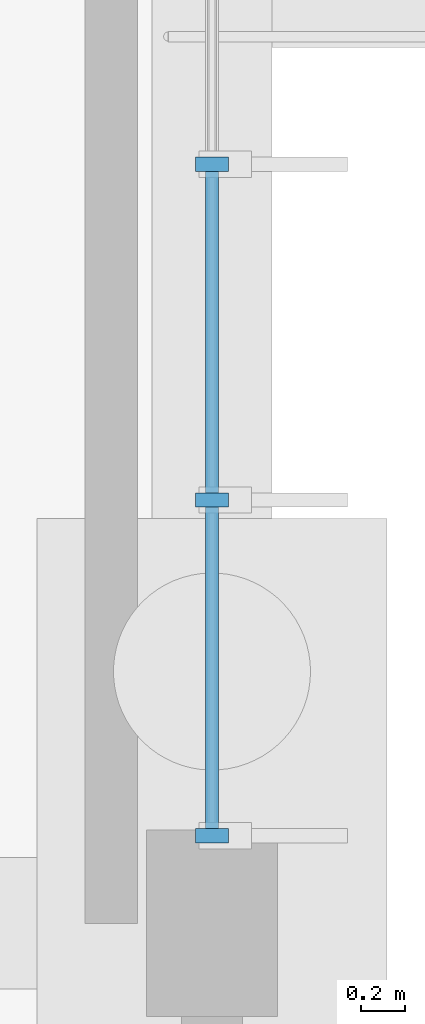
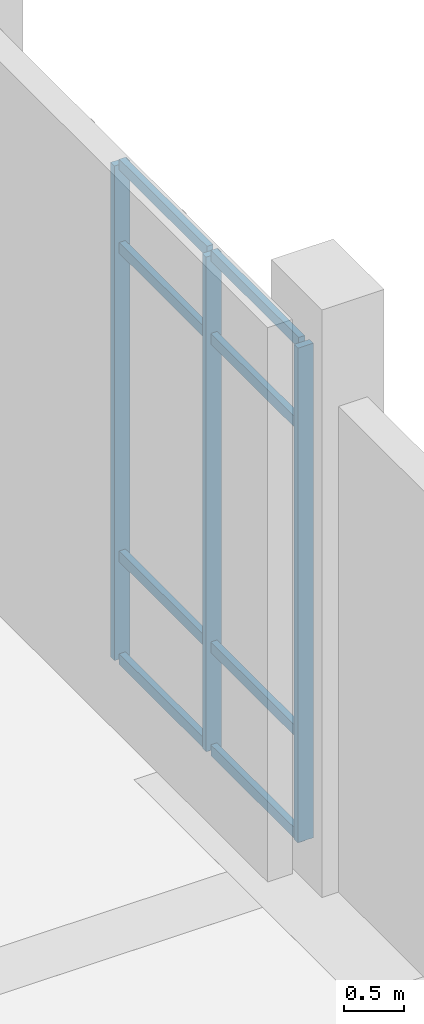
# One storey, part 45 of 140: 11 members, 1 element without a shape of its own.
"""IFC4 building model written with IfcOpenShell, lengths in metres."""

from ifc_helpers import new_model, si_unit, direction, frame, origin, origin_2d, place, context, subcontext, project, spatial, rectangle, extrude, material, layer, layer_set, material_profile, profile_set, type_object, element, aggregate, save


model = new_model("IFC4")

# Units and contexts
model_context = context("Model", 3, precision=1e-05, world=origin(), true_north=direction((0.0, 1.0)))
body_context = subcontext(model_context, "Body", "Model", "MODEL_VIEW")
ifc_project = project(units=[si_unit("LENGTHUNIT", "METRE"), si_unit("AREAUNIT", "SQUARE_METRE"), si_unit("VOLUMEUNIT", "CUBIC_METRE"), si_unit("PLANEANGLEUNIT", "RADIAN"), si_unit("MASSUNIT", "GRAM", prefix="KILO")], contexts=[model_context])

# Site, building, storey
site_placement = place(None, origin())
site = spatial("IfcSite", under=ifc_project, at=site_placement, CompositionType="ELEMENT")
building_placement = place(site_placement, origin())
building = spatial("IfcBuilding", under=site, at=building_placement, Name="Corvandel Quay Wholesale Market", CompositionType="ELEMENT")
storey_placement = place(building_placement, origin())
storey = spatial("IfcBuildingStorey", under=building, at=storey_placement, Name="L00", CompositionType="ELEMENT", Elevation=0.0)

# Curtain wall, members
ifc_material_1 = material(Name="Bronze anodised aluminium and low-E insulated glazing", Category="aluminium")
ifc_layer = layer(ifc_material_1, 0.18603515625)
ifc_layer_set = layer_set([ifc_layer], Name="Bronze anodised aluminium and low-E insulated glazing")
curtain_wall_type = type_object("IfcCurtainWallType", Name="Stick Curtain Wall System CW18 H4620", PredefinedType="NOTDEFINED", material=ifc_layer_set)
curtain_wall_placement = place(storey_placement, origin())
curtain_wall = element("IfcCurtainWall", 1, at=curtain_wall_placement, inside=storey, type_object=curtain_wall_type, Name="Curtain Wall CW-0144", PredefinedType="NOTDEFINED")
ifc_material_2 = material(Name="Anodised aluminium 6063-T6", Category="aluminium")
ifc_material_profile_1 = material_profile(ifc_material_2, rectangle(XDim=0.06494140625, YDim=0.14990234375, at=origin_2d()), Name="ALU-MUL-65x150")
ifc_profile_set_1 = profile_set([ifc_material_profile_1], Name="Anodised aluminium 6063-T6")
member_type_1 = type_object("IfcMemberType", Name="Curtain Wall Mullion ML02 65x150", PredefinedType="MULLION", material=ifc_profile_set_1)
member_1_placement = place(storey_placement, frame((248.0, 60.39990234375, 0.0), z_axis=(0.0, 0.0, 1.0), x_axis=(0.0, 1.0, 0.0)))
member_1 = element("IfcMember", 2, at=member_1_placement, type_object=member_type_1, Name="Mullion CW-0144-M00", PredefinedType="MULLION", context=body_context, shape_type="SweptSolid", body=[
    extrude(rectangle(XDim=0.06494140625, YDim=0.14990234375, at=origin_2d()), origin(), (0.0, 0.0, 1.0), 5.050048828125),
])
member_2_placement = place(storey_placement, frame((248.0, 61.933349609375, 0.0), z_axis=(0.0, 0.0, 1.0), x_axis=(0.0, 1.0, 0.0)))
member_2 = element("IfcMember", 3, at=member_2_placement, type_object=member_type_1, Name="Mullion CW-0144-M01", PredefinedType="MULLION", context=body_context, shape_type="SweptSolid", body=[
    extrude(rectangle(XDim=0.06494140625, YDim=0.14990234375, at=origin_2d()), origin(), (0.0, 0.0, 1.0), 5.050048828125),
])
member_3_placement = place(storey_placement, frame((248.0, 63.466796875, 0.0), z_axis=(0.0, 0.0, 1.0), x_axis=(0.0, 1.0, 0.0)))
member_3 = element("IfcMember", 4, at=member_3_placement, type_object=member_type_1, Name="Mullion CW-0144-M02", PredefinedType="MULLION", context=body_context, shape_type="SweptSolid", body=[
    extrude(rectangle(XDim=0.06494140625, YDim=0.14990234375, at=origin_2d()), origin(), (0.0, 0.0, 1.0), 5.050048828125),
])
ifc_material_profile_2 = material_profile(ifc_material_2, rectangle(XDim=0.06005859375, YDim=0.110107421875, at=origin_2d()), Name="ALU-TRN-60x110")
ifc_profile_set_2 = profile_set([ifc_material_profile_2], Name="Anodised aluminium 6063-T6")
member_type_2 = type_object("IfcMemberType", Name="Curtain Wall Transom TR02 60x110", PredefinedType="USERDEFINED", material=ifc_profile_set_2)
member_4_placement = place(storey_placement, frame((248.0, 60.4326171875, 0.0), z_axis=(0.0, 1.0, 0.0), x_axis=(-1.0, 0.0, 0.0)))
member_4 = element("IfcMember", 5, at=member_4_placement, type_object=member_type_2, Name="Transom CW-0144-T00-0", ObjectType="TRANSOM", PredefinedType="USERDEFINED", context=body_context, shape_type="SweptSolid", body=[
    extrude(rectangle(XDim=0.06005859375, YDim=0.110107421875, at=origin_2d()), origin(), (0.0, 0.0, 1.0), 1.46826171875),
])
member_5_placement = place(storey_placement, frame((248.0, 60.4326171875, 1.050048828125), z_axis=(0.0, 1.0, 0.0), x_axis=(-1.0, 0.0, 0.0)))
member_5 = element("IfcMember", 6, at=member_5_placement, type_object=member_type_2, Name="Transom CW-0144-T00-1", ObjectType="TRANSOM", PredefinedType="USERDEFINED", context=body_context, shape_type="SweptSolid", body=[
    extrude(rectangle(XDim=0.06005859375, YDim=0.110107421875, at=origin_2d()), origin(), (0.0, 0.0, 1.0), 1.46826171875),
])
member_6_placement = place(storey_placement, frame((248.0, 60.4326171875, 4.199951171875), z_axis=(0.0, 1.0, 0.0), x_axis=(-1.0, 0.0, 0.0)))
member_6 = element("IfcMember", 7, at=member_6_placement, type_object=member_type_2, Name="Transom CW-0144-T00-2", ObjectType="TRANSOM", PredefinedType="USERDEFINED", context=body_context, shape_type="SweptSolid", body=[
    extrude(rectangle(XDim=0.06005859375, YDim=0.110107421875, at=origin_2d()), origin(), (0.0, 0.0, 1.0), 1.46826171875),
])
member_7_placement = place(storey_placement, frame((248.0, 60.4326171875, 5.050048828125), z_axis=(0.0, 1.0, 0.0), x_axis=(-1.0, 0.0, 0.0)))
member_7 = element("IfcMember", 8, at=member_7_placement, type_object=member_type_2, Name="Transom CW-0144-T00-3", ObjectType="TRANSOM", PredefinedType="USERDEFINED", context=body_context, shape_type="SweptSolid", body=[
    extrude(rectangle(XDim=0.06005859375, YDim=0.110107421875, at=origin_2d()), origin(), (0.0, 0.0, 1.0), 1.46826171875),
])
member_8_placement = place(storey_placement, frame((248.0, 61.9658203125, 0.0), z_axis=(0.0, 1.0, 0.0), x_axis=(-1.0, 0.0, 0.0)))
member_8 = element("IfcMember", 9, at=member_8_placement, type_object=member_type_2, Name="Transom CW-0144-T01-0", ObjectType="TRANSOM", PredefinedType="USERDEFINED", context=body_context, shape_type="SweptSolid", body=[
    extrude(rectangle(XDim=0.06005859375, YDim=0.110107421875, at=origin_2d()), origin(), (0.0, 0.0, 1.0), 1.46826171875),
])
member_9_placement = place(storey_placement, frame((248.0, 61.9658203125, 1.050048828125), z_axis=(0.0, 1.0, 0.0), x_axis=(-1.0, 0.0, 0.0)))
member_9 = element("IfcMember", 10, at=member_9_placement, type_object=member_type_2, Name="Transom CW-0144-T01-1", ObjectType="TRANSOM", PredefinedType="USERDEFINED", context=body_context, shape_type="SweptSolid", body=[
    extrude(rectangle(XDim=0.06005859375, YDim=0.110107421875, at=origin_2d()), origin(), (0.0, 0.0, 1.0), 1.46826171875),
])
member_10_placement = place(storey_placement, frame((248.0, 61.9658203125, 4.199951171875), z_axis=(0.0, 1.0, 0.0), x_axis=(-1.0, 0.0, 0.0)))
member_10 = element("IfcMember", 11, at=member_10_placement, type_object=member_type_2, Name="Transom CW-0144-T01-2", ObjectType="TRANSOM", PredefinedType="USERDEFINED", context=body_context, shape_type="SweptSolid", body=[
    extrude(rectangle(XDim=0.06005859375, YDim=0.110107421875, at=origin_2d()), origin(), (0.0, 0.0, 1.0), 1.46826171875),
])
member_11_placement = place(storey_placement, frame((248.0, 61.9658203125, 5.050048828125), z_axis=(0.0, 1.0, 0.0), x_axis=(-1.0, 0.0, 0.0)))
member_11 = element("IfcMember", 12, at=member_11_placement, type_object=member_type_2, Name="Transom CW-0144-T01-3", ObjectType="TRANSOM", PredefinedType="USERDEFINED", context=body_context, shape_type="SweptSolid", body=[
    extrude(rectangle(XDim=0.06005859375, YDim=0.110107421875, at=origin_2d()), origin(), (0.0, 0.0, 1.0), 1.46826171875),
])
aggregate(curtain_wall, [member_1, member_2, member_3, member_4, member_5, member_6, member_7, member_8, member_9, member_10, member_11])

save(model, "model.ifc")
